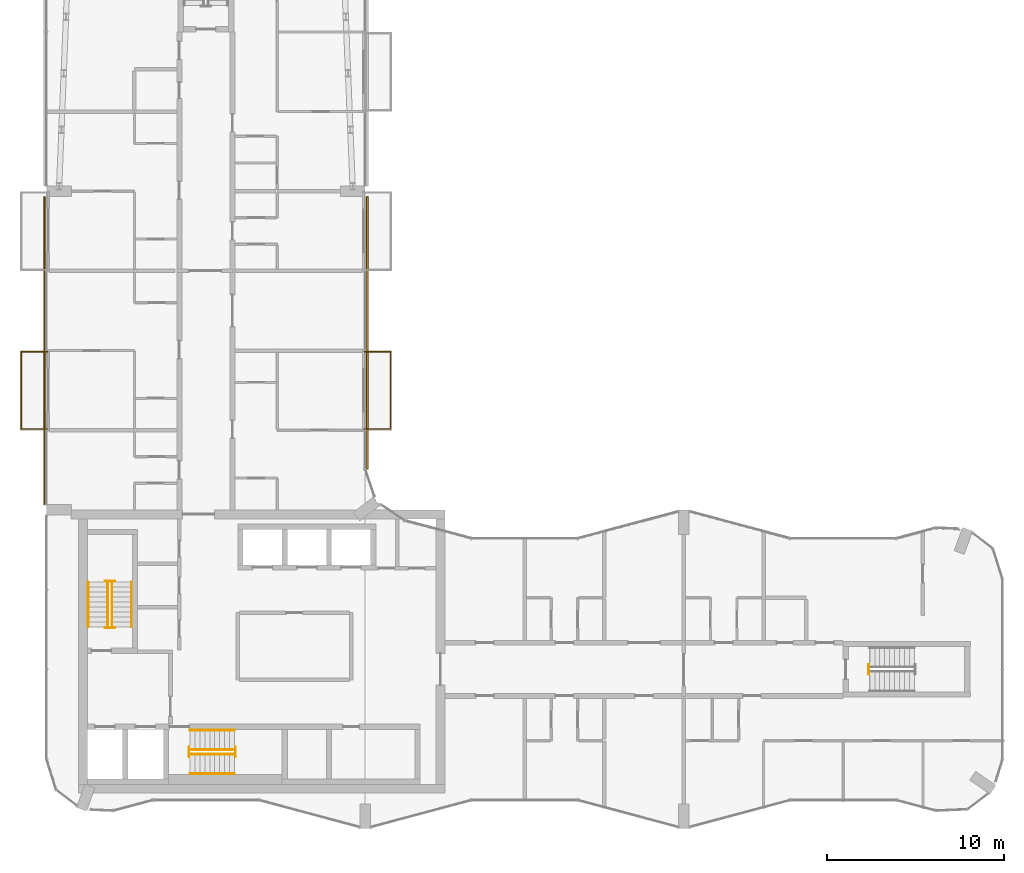
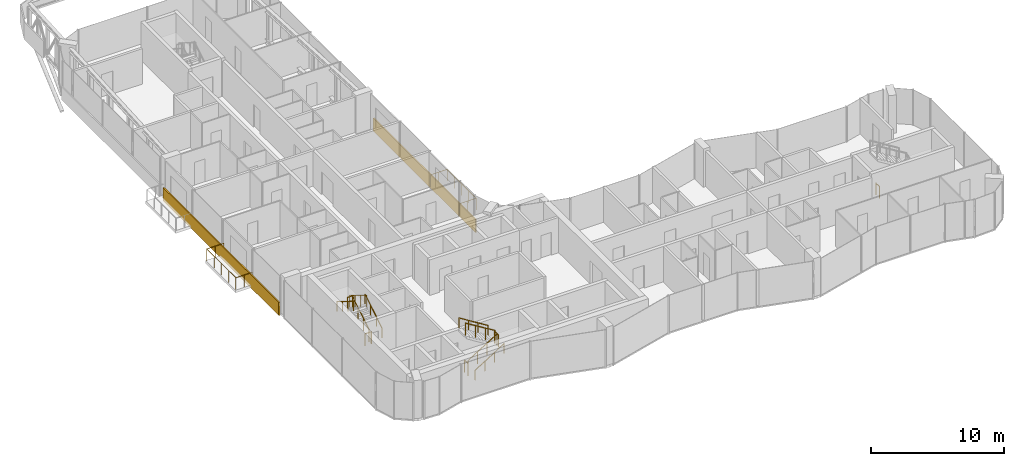
# One storey, part 15 of 17: 15 railings, 2 coverings.
"""IFC4 building model written with IfcOpenShell, lengths in metres."""

from ifc_helpers import new_model, si_unit, direction, frame, origin, origin_2d, place, context, subcontext, project, spatial, rectangle, circle, extrude, material, layer, layer_set, type_object, element, save


model = new_model("IFC4")

# Units and contexts
model_context = context("Model", 3, precision=1e-05, world=origin(), true_north=direction((0.0, 1.0)))
body_context = subcontext(model_context, "Body", "Model", "MODEL_VIEW")
ifc_project = project(units=[si_unit("LENGTHUNIT", "METRE"), si_unit("AREAUNIT", "SQUARE_METRE"), si_unit("VOLUMEUNIT", "CUBIC_METRE"), si_unit("PLANEANGLEUNIT", "RADIAN"), si_unit("MASSUNIT", "GRAM", prefix="KILO")], contexts=[model_context])

# Site, building, storey
site_placement = place(None, origin())
site = spatial("IfcSite", under=ifc_project, at=site_placement, CompositionType="ELEMENT")
building_placement = place(site_placement, origin())
building = spatial("IfcBuilding", under=site, at=building_placement, Name="Plateau Cross Towers", CompositionType="ELEMENT")
storey_placement = place(building_placement, frame((0.0, 0.0, 222.39990234375)))
storey = spatial("IfcBuildingStorey", under=building, at=storey_placement, Name="L58", CompositionType="ELEMENT", Elevation=222.39990234375)

# Railings
ifc_material_1 = material(Name="Stainless steel and toughened glass", Category="steel")
railing_type_1 = type_object("IfcRailingType", Name="Glass balustrade guard 1100", PredefinedType="GUARDRAIL", material=ifc_material_1)
railing_1_placement = place(storey_placement, frame((0.050048828125, 22.570068359375, 0.0)))
element("IfcRailing", 1, at=railing_1_placement, inside=storey, type_object=railing_type_1, Name="Guard guard1", PredefinedType="GUARDRAIL", context=body_context, shape_type="SweptSolid", body=[
    extrude(circle(Radius=0.02392578125, at=origin_2d()), frame((0.0, 0.0, 1.076171875), z_axis=(-1.0, 0.0, 0.0), x_axis=(0.0, -1.0, 0.0)), (0.0, 0.0, 1.0), 1.47998046875),
    extrude(circle(Radius=0.02392578125, at=origin_2d()), frame((-1.47998046875, 0.0, 1.076171875), z_axis=(0.0, 1.0, 0.0), x_axis=(-1.0, 0.0, 0.0)), (0.0, 0.0, 1.0), 4.35986328125),
    extrude(circle(Radius=0.02392578125, at=origin_2d()), frame((-1.47998046875, 4.35986328125, 1.076171875), z_axis=(1.0, 0.0, 0.0), x_axis=(0.0, 1.0, 0.0)), (0.0, 0.0, 1.0), 1.47998046875),
    extrude(circle(Radius=0.02099609375, at=origin_2d()), origin(), (0.0, 0.0, 1.0), 1.052001953125),
    extrude(circle(Radius=0.02099609375, at=origin_2d()), frame((-0.739990234375, 0.0, 0.0)), (0.0, 0.0, 1.0), 1.052001953125),
    extrude(circle(Radius=0.02099609375, at=origin_2d()), frame((-1.47998046875, 0.0, 0.0)), (0.0, 0.0, 1.0), 1.052001953125),
    extrude(circle(Radius=0.02099609375, at=origin_2d()), frame((-1.47998046875, 1.08984375, 0.0)), (0.0, 0.0, 1.0), 1.052001953125),
    extrude(circle(Radius=0.02099609375, at=origin_2d()), frame((-1.47998046875, 2.179931640625, 0.0)), (0.0, 0.0, 1.0), 1.052001953125),
    extrude(circle(Radius=0.02099609375, at=origin_2d()), frame((-1.47998046875, 3.27001953125, 0.0)), (0.0, 0.0, 1.0), 1.052001953125),
    extrude(circle(Radius=0.02099609375, at=origin_2d()), frame((-1.47998046875, 4.35986328125, 0.0)), (0.0, 0.0, 1.0), 1.052001953125),
    extrude(circle(Radius=0.02099609375, at=origin_2d()), frame((-0.739990234375, 4.35986328125, 0.0)), (0.0, 0.0, 1.0), 1.052001953125),
    extrude(circle(Radius=0.02099609375, at=origin_2d()), frame((0.0, 4.35986328125, 0.0)), (0.0, 0.0, 1.0), 1.052001953125),
])
railing_2_placement = place(storey_placement, frame((17.949951171875, 26.929931640625, 0.0)))
element("IfcRailing", 2, at=railing_2_placement, inside=storey, type_object=railing_type_1, Name="Guard guard1", PredefinedType="GUARDRAIL", context=body_context, shape_type="SweptSolid", body=[
    extrude(circle(Radius=0.02392578125, at=origin_2d()), frame((0.0, 0.0, 1.076171875), z_axis=(1.0, 0.0, 0.0), x_axis=(0.0, 1.0, 0.0)), (0.0, 0.0, 1.0), 1.47998046875),
    extrude(circle(Radius=0.02392578125, at=origin_2d()), frame((1.47998046875, 0.0, 1.076171875), z_axis=(0.0, -1.0, 0.0), x_axis=(1.0, 0.0, 0.0)), (0.0, 0.0, 1.0), 4.35986328125),
    extrude(circle(Radius=0.02392578125, at=origin_2d()), frame((1.47998046875, -4.35986328125, 1.076171875), z_axis=(-1.0, 0.0, 0.0), x_axis=(0.0, -1.0, 0.0)), (0.0, 0.0, 1.0), 1.47998046875),
    extrude(circle(Radius=0.02099609375, at=origin_2d()), origin(), (0.0, 0.0, 1.0), 1.052001953125),
    extrude(circle(Radius=0.02099609375, at=origin_2d()), frame((0.739990234375, 0.0, 0.0)), (0.0, 0.0, 1.0), 1.052001953125),
    extrude(circle(Radius=0.02099609375, at=origin_2d()), frame((1.47998046875, 0.0, 0.0)), (0.0, 0.0, 1.0), 1.052001953125),
    extrude(circle(Radius=0.02099609375, at=origin_2d()), frame((1.47998046875, -1.08984375, 0.0)), (0.0, 0.0, 1.0), 1.052001953125),
    extrude(circle(Radius=0.02099609375, at=origin_2d()), frame((1.47998046875, -2.179931640625, 0.0)), (0.0, 0.0, 1.0), 1.052001953125),
    extrude(circle(Radius=0.02099609375, at=origin_2d()), frame((1.47998046875, -3.27001953125, 0.0)), (0.0, 0.0, 1.0), 1.052001953125),
    extrude(circle(Radius=0.02099609375, at=origin_2d()), frame((1.47998046875, -4.35986328125, 0.0)), (0.0, 0.0, 1.0), 1.052001953125),
    extrude(circle(Radius=0.02099609375, at=origin_2d()), frame((0.739990234375, -4.35986328125, 0.0)), (0.0, 0.0, 1.0), 1.052001953125),
    extrude(circle(Radius=0.02099609375, at=origin_2d()), frame((0.0, -4.35986328125, 0.0)), (0.0, 0.0, 1.0), 1.052001953125),
])
railing_type_2 = type_object("IfcRailingType", Name="RL-GUARD-1100", PredefinedType="GUARDRAIL", material=ifc_material_1)
railing_3_placement = place(storey_placement, frame((3.699951171875, 11.39990234375, 0.175048828125)))
element("IfcRailing", 3, at=railing_3_placement, inside=storey, type_object=railing_type_2, Name="L58 ST-1 stair guard 1", PredefinedType="GUARDRAIL", context=body_context, shape_type="SweptSolid", body=[
    extrude(circle(Radius=0.02392578125, at=origin_2d()), frame((0.0, 0.0, 1.076171875), z_axis=(0.0, 0.848007534815, 0.529984170421), x_axis=(-1.0, 0.0, 0.0)), (0.0, 0.0, 1.0), 2.9716796875),
    extrude(circle(Radius=0.02099609375, at=origin_2d()), origin(), (0.0, 0.0, 1.0), 1.052001953125),
    extrude(circle(Radius=0.02099609375, at=origin_2d()), frame((0.0, 0.840087890625, 0.52490234375)), (0.0, 0.0, 1.0), 1.052001953125),
    extrude(circle(Radius=0.02099609375, at=origin_2d()), frame((0.0, 1.679931640625, 1.050048828125)), (0.0, 0.0, 1.0), 1.052001953125),
    extrude(circle(Radius=0.02099609375, at=origin_2d()), frame((0.0, 2.52001953125, 1.574951171875)), (0.0, 0.0, 1.0), 1.052001953125),
])
railing_4_placement = place(storey_placement, frame((3.85009765625, 13.969970703125, 1.75)))
element("IfcRailing", 4, at=railing_4_placement, inside=storey, type_object=railing_type_2, Name="L58 ST-1 stair guard 2", PredefinedType="GUARDRAIL", context=body_context, shape_type="SweptSolid", body=[
    extrude(circle(Radius=0.02392578125, at=origin_2d()), frame((0.0, 0.0, 1.076171875), z_axis=(-1.0, 0.0, 0.0), x_axis=(0.0, -1.0, 0.0)), (0.0, 0.0, 1.0), 0.550048828125),
    extrude(circle(Radius=0.02099609375, at=origin_2d()), origin(), (0.0, 0.0, 1.0), 1.052001953125),
    extrude(circle(Radius=0.02099609375, at=origin_2d()), frame((-0.550048828125, 0.0, 0.0)), (0.0, 0.0, 1.0), 1.052001953125),
])
railing_5_placement = place(storey_placement, frame((3.449951171875, 13.919921875, 1.925048828125)))
element("IfcRailing", 5, at=railing_5_placement, inside=storey, type_object=railing_type_2, Name="L58 ST-1 stair guard 3", PredefinedType="GUARDRAIL", context=body_context, shape_type="SweptSolid", body=[
    extrude(circle(Radius=0.02392578125, at=origin_2d()), frame((0.0, 0.0, 1.076171875), z_axis=(0.0, -0.852616386126, 0.522537365276), x_axis=(1.0, 0.0, 0.0)), (0.0, 0.0, 1.0), 3.01416015625),
    extrude(circle(Radius=0.02099609375, at=origin_2d()), origin(), (0.0, 0.0, 1.0), 1.052001953125),
    extrude(circle(Radius=0.02099609375, at=origin_2d()), frame((0.0, -0.856689453125, 0.52490234375)), (0.0, 0.0, 1.0), 1.052001953125),
    extrude(circle(Radius=0.02099609375, at=origin_2d()), frame((0.0, -1.713134765625, 1.050048828125)), (0.0, 0.0, 1.0), 1.052001953125),
    extrude(circle(Radius=0.02099609375, at=origin_2d()), frame((0.0, -2.56982421875, 1.574951171875)), (0.0, 0.0, 1.0), 1.052001953125),
])
railing_6_placement = place(storey_placement, frame((3.85009765625, 11.35009765625, 0.0)))
element("IfcRailing", 6, at=railing_6_placement, inside=storey, type_object=railing_type_2, Name="L58 ST-1 stair guard 4", PredefinedType="GUARDRAIL", context=body_context, shape_type="SweptSolid", body=[
    extrude(circle(Radius=0.02392578125, at=origin_2d()), frame((0.0, 0.0, 1.076171875), z_axis=(-1.0, 0.0, 0.0), x_axis=(0.0, -1.0, 0.0)), (0.0, 0.0, 1.0), 0.550048828125),
    extrude(circle(Radius=0.02099609375, at=origin_2d()), origin(), (0.0, 0.0, 1.0), 1.052001953125),
    extrude(circle(Radius=0.02099609375, at=origin_2d()), frame((-0.550048828125, 0.0, 0.0)), (0.0, 0.0, 1.0), 1.052001953125),
])
railing_7_placement = place(storey_placement, frame((8.10009765625, 4.199951171875, 0.175048828125)))
element("IfcRailing", 7, at=railing_7_placement, inside=storey, type_object=railing_type_2, Name="L58 ST-2 stair guard 1", PredefinedType="GUARDRAIL", context=body_context, shape_type="SweptSolid", body=[
    extrude(circle(Radius=0.02392578125, at=origin_2d()), frame((0.0, 0.0, 1.076171875), z_axis=(0.848007534815, 0.0, 0.529984170421), x_axis=(0.0, 1.0, 0.0)), (0.0, 0.0, 1.0), 2.9716796875),
    extrude(circle(Radius=0.02099609375, at=origin_2d()), origin(), (0.0, 0.0, 1.0), 1.052001953125),
    extrude(circle(Radius=0.02099609375, at=origin_2d()), frame((0.840087890625, 0.0, 0.52490234375)), (0.0, 0.0, 1.0), 1.052001953125),
    extrude(circle(Radius=0.02099609375, at=origin_2d()), frame((1.679931640625, 0.0, 1.050048828125)), (0.0, 0.0, 1.0), 1.052001953125),
    extrude(circle(Radius=0.02099609375, at=origin_2d()), frame((2.52001953125, 0.0, 1.574951171875)), (0.0, 0.0, 1.0), 1.052001953125),
])
railing_8_placement = place(storey_placement, frame((10.669921875, 4.050048828125, 1.75)))
element("IfcRailing", 8, at=railing_8_placement, inside=storey, type_object=railing_type_2, Name="L58 ST-2 stair guard 2", PredefinedType="GUARDRAIL", context=body_context, shape_type="SweptSolid", body=[
    extrude(circle(Radius=0.02392578125, at=origin_2d()), frame((0.0, 0.0, 1.076171875), z_axis=(0.0, 1.0, 0.0), x_axis=(-1.0, 0.0, 0.0)), (0.0, 0.0, 1.0), 0.550048828125),
    extrude(circle(Radius=0.02099609375, at=origin_2d()), origin(), (0.0, 0.0, 1.0), 1.052001953125),
    extrude(circle(Radius=0.02099609375, at=origin_2d()), frame((0.0, 0.550048828125, 0.0)), (0.0, 0.0, 1.0), 1.052001953125),
])
railing_9_placement = place(storey_placement, frame((10.6201171875, 4.449951171875, 1.925048828125)))
element("IfcRailing", 9, at=railing_9_placement, inside=storey, type_object=railing_type_2, Name="L58 ST-2 stair guard 3", PredefinedType="GUARDRAIL", context=body_context, shape_type="SweptSolid", body=[
    extrude(circle(Radius=0.02392578125, at=origin_2d()), frame((0.0, 0.0, 1.076171875), z_axis=(-0.852638500773, 0.0, 0.522501279423), x_axis=(0.0, -1.0, 0.0)), (0.0, 0.0, 1.0), 3.01416015625),
    extrude(circle(Radius=0.02099609375, at=origin_2d()), origin(), (0.0, 0.0, 1.0), 1.052001953125),
    extrude(circle(Radius=0.02099609375, at=origin_2d()), frame((-0.856689453125, 0.0, 0.52490234375)), (0.0, 0.0, 1.0), 1.052001953125),
    extrude(circle(Radius=0.02099609375, at=origin_2d()), frame((-1.71337890625, 0.0, 1.050048828125)), (0.0, 0.0, 1.0), 1.052001953125),
    extrude(circle(Radius=0.02099609375, at=origin_2d()), frame((-2.570068359375, 0.0, 1.574951171875)), (0.0, 0.0, 1.0), 1.052001953125),
])
railing_10_placement = place(storey_placement, frame((8.050048828125, 4.050048828125, 0.0)))
element("IfcRailing", 10, at=railing_10_placement, inside=storey, type_object=railing_type_2, Name="L58 ST-2 stair guard 4", PredefinedType="GUARDRAIL", context=body_context, shape_type="SweptSolid", body=[
    extrude(circle(Radius=0.02392578125, at=origin_2d()), frame((0.0, 0.0, 1.076171875), z_axis=(0.0, 1.0, 0.0), x_axis=(-1.0, 0.0, 0.0)), (0.0, 0.0, 1.0), 0.550048828125),
    extrude(circle(Radius=0.02099609375, at=origin_2d()), origin(), (0.0, 0.0, 1.0), 1.052001953125),
    extrude(circle(Radius=0.02099609375, at=origin_2d()), frame((0.0, 0.550048828125, 0.0)), (0.0, 0.0, 1.0), 1.052001953125),
])
railing_11_placement = place(storey_placement, frame((46.449951171875, 8.72509765625, 0.0)))
element("IfcRailing", 11, at=railing_11_placement, inside=storey, type_object=railing_type_2, Name="L58 ES-E stair guard 4", PredefinedType="GUARDRAIL", context=body_context, shape_type="SweptSolid", body=[
    extrude(circle(Radius=0.02392578125, at=origin_2d()), frame((0.0, 0.0, 1.076171875), z_axis=(0.0, 1.0, 0.0), x_axis=(-1.0, 0.0, 0.0)), (0.0, 0.0, 1.0), 0.5498046875),
    extrude(circle(Radius=0.02099609375, at=origin_2d()), origin(), (0.0, 0.0, 1.0), 1.052001953125),
    extrude(circle(Radius=0.02099609375, at=origin_2d()), frame((0.0, 0.5498046875, 0.0)), (0.0, 0.0, 1.0), 1.052001953125),
])
ifc_material_2 = material(Name="Black anodised aluminium", Category="aluminium")
railing_type_3 = type_object("IfcRailingType", Name="RL-HANDRAIL-900", PredefinedType="HANDRAIL", material=ifc_material_2)
railing_12_placement = place(storey_placement, frame((4.800048828125, 11.39990234375, 0.175048828125)))
element("IfcRailing", 12, at=railing_12_placement, inside=storey, type_object=railing_type_3, Name="L58 ST-1 stair handrail 1", PredefinedType="HANDRAIL", context=body_context, shape_type="SweptSolid", body=[
    extrude(circle(Radius=0.02392578125, at=origin_2d()), frame((0.0, 0.0, 0.8759765625), z_axis=(0.0, 0.848007534815, 0.529984170421), x_axis=(-1.0, 0.0, 0.0)), (0.0, 0.0, 1.0), 2.9716796875),
    extrude(circle(Radius=0.02099609375, at=origin_2d()), origin(), (0.0, 0.0, 1.0), 0.851806640625),
    extrude(circle(Radius=0.02099609375, at=origin_2d()), frame((0.0, 0.840087890625, 0.52490234375)), (0.0, 0.0, 1.0), 0.851806640625),
    extrude(circle(Radius=0.02099609375, at=origin_2d()), frame((0.0, 1.679931640625, 1.050048828125)), (0.0, 0.0, 1.0), 0.851806640625),
    extrude(circle(Radius=0.02099609375, at=origin_2d()), frame((0.0, 2.52001953125, 1.574951171875)), (0.0, 0.0, 1.0), 0.851806640625),
])
railing_13_placement = place(storey_placement, frame((2.35009765625, 13.919921875, 1.925048828125)))
element("IfcRailing", 13, at=railing_13_placement, inside=storey, type_object=railing_type_3, Name="L58 ST-1 stair handrail 2", PredefinedType="HANDRAIL", context=body_context, shape_type="SweptSolid", body=[
    extrude(circle(Radius=0.02392578125, at=origin_2d()), frame((0.0, 0.0, 0.8759765625), z_axis=(0.0, -0.848007534815, 0.529984170421), x_axis=(1.0, 0.0, 0.0)), (0.0, 0.0, 1.0), 2.9716796875),
    extrude(circle(Radius=0.02099609375, at=origin_2d()), origin(), (0.0, 0.0, 1.0), 0.851806640625),
    extrude(circle(Radius=0.02099609375, at=origin_2d()), frame((0.0, -0.840087890625, 0.52490234375)), (0.0, 0.0, 1.0), 0.851806640625),
    extrude(circle(Radius=0.02099609375, at=origin_2d()), frame((0.0, -1.679931640625, 1.050048828125)), (0.0, 0.0, 1.0), 0.851806640625),
    extrude(circle(Radius=0.02099609375, at=origin_2d()), frame((0.0, -2.52001953125, 1.574951171875)), (0.0, 0.0, 1.0), 0.851806640625),
])
railing_14_placement = place(storey_placement, frame((8.10009765625, 3.10009765625, 0.175048828125)))
element("IfcRailing", 14, at=railing_14_placement, inside=storey, type_object=railing_type_3, Name="L58 ST-2 stair handrail 1", PredefinedType="HANDRAIL", context=body_context, shape_type="SweptSolid", body=[
    extrude(circle(Radius=0.02392578125, at=origin_2d()), frame((0.0, 0.0, 0.8759765625), z_axis=(0.848007534815, 0.0, 0.529984170421), x_axis=(0.0, 1.0, 0.0)), (0.0, 0.0, 1.0), 2.9716796875),
    extrude(circle(Radius=0.02099609375, at=origin_2d()), origin(), (0.0, 0.0, 1.0), 0.851806640625),
    extrude(circle(Radius=0.02099609375, at=origin_2d()), frame((0.840087890625, 0.0, 0.52490234375)), (0.0, 0.0, 1.0), 0.851806640625),
    extrude(circle(Radius=0.02099609375, at=origin_2d()), frame((1.679931640625, 0.0, 1.050048828125)), (0.0, 0.0, 1.0), 0.851806640625),
    extrude(circle(Radius=0.02099609375, at=origin_2d()), frame((2.52001953125, 0.0, 1.574951171875)), (0.0, 0.0, 1.0), 0.851806640625),
])
railing_15_placement = place(storey_placement, frame((10.6201171875, 5.550048828125, 1.925048828125)))
element("IfcRailing", 15, at=railing_15_placement, inside=storey, type_object=railing_type_3, Name="L58 ST-2 stair handrail 2", PredefinedType="HANDRAIL", context=body_context, shape_type="SweptSolid", body=[
    extrude(circle(Radius=0.02392578125, at=origin_2d()), frame((0.0, 0.0, 0.8759765625), z_axis=(-0.848007534815, 0.0, 0.529984170421), x_axis=(0.0, -1.0, 0.0)), (0.0, 0.0, 1.0), 2.9716796875),
    extrude(circle(Radius=0.02099609375, at=origin_2d()), origin(), (0.0, 0.0, 1.0), 0.851806640625),
    extrude(circle(Radius=0.02099609375, at=origin_2d()), frame((-0.840087890625, 0.0, 0.52490234375)), (0.0, 0.0, 1.0), 0.851806640625),
    extrude(circle(Radius=0.02099609375, at=origin_2d()), frame((-1.679931640625, 0.0, 1.050048828125)), (0.0, 0.0, 1.0), 0.851806640625),
    extrude(circle(Radius=0.02099609375, at=origin_2d()), frame((-2.52001953125, 0.0, 1.574951171875)), (0.0, 0.0, 1.0), 0.851806640625),
])

# Coverings
ifc_material_3 = material(Name="Precast concrete cladding C40/50", Category="concrete")
ifc_layer = layer(ifc_material_3, 0.10009765625)
ifc_layer_set = layer_set([ifc_layer], Name="Precast concrete cladding C40/50")
covering_type = type_object("IfcCoveringType", Name="Spandrel band cladding 100x1200", PredefinedType="CLADDING", material=ifc_layer_set)
covering_1_placement = place(storey_placement, frame((18.1201171875, 28.001220703125, -0.25), z_axis=(0.0, 0.0, 1.0), x_axis=(0.0, 1.0, 0.0)))
element("IfcCovering", 16, at=covering_1_placement, inside=storey, type_object=covering_type, Name="Spandrel band", PredefinedType="CLADDING", context=body_context, shape_type="SweptSolid", body=[
    extrude(rectangle(XDim=15.397705078125, YDim=0.10009765625, at=origin_2d()), origin(), (0.0, 0.0, 1.0), 1.199951171875),
])
covering_2_placement = place(storey_placement, frame((-0.1201171875, 27.0, -0.25), z_axis=(0.0, 0.0, 1.0), x_axis=(0.0, -1.0, 0.0)))
element("IfcCovering", 17, at=covering_2_placement, inside=storey, type_object=covering_type, Name="Spandrel band", PredefinedType="CLADDING", context=body_context, shape_type="SweptSolid", body=[
    extrude(rectangle(XDim=17.39990234375, YDim=0.10009765625, at=origin_2d()), origin(), (0.0, 0.0, 1.0), 1.199951171875),
])

save(model, "model.ifc")
